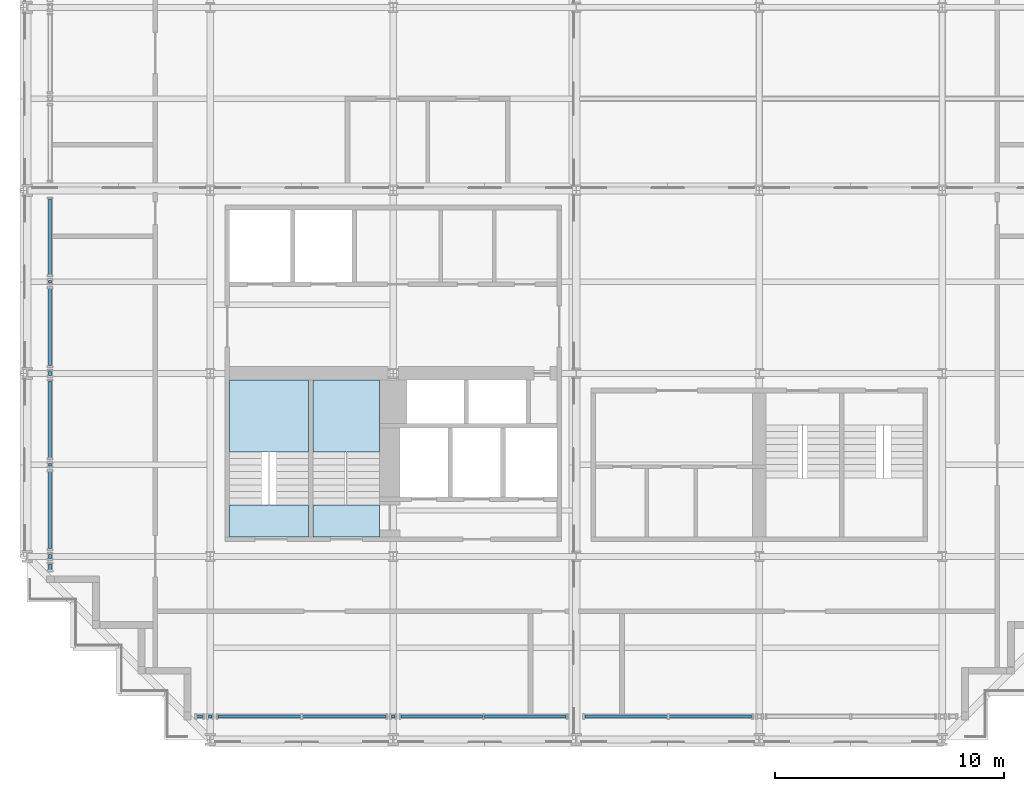
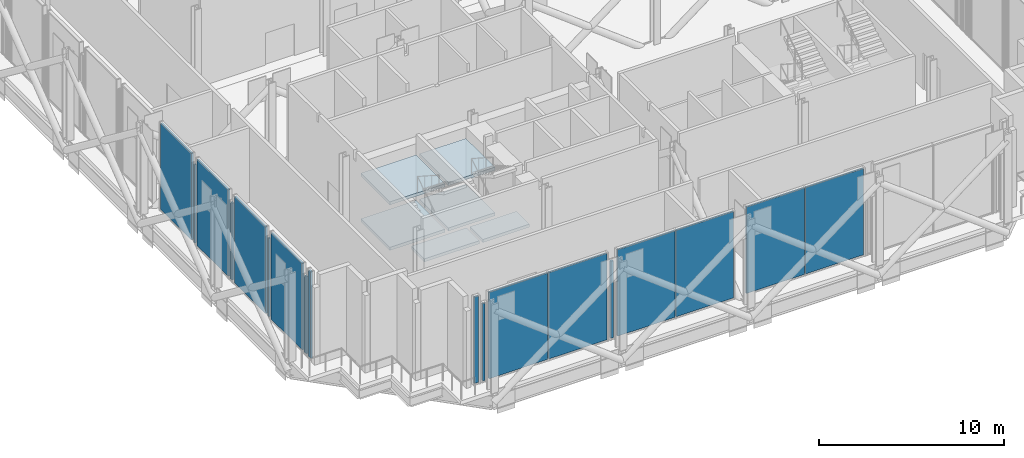
# One storey, part 11 of 25: 18 plates, 6 slabs, 17 elements without a shape of their own.
"""IFC4 building model written with IfcOpenShell, lengths in metres."""

from ifc_helpers import new_model, si_unit, direction, frame, origin, origin_2d, place, context, subcontext, project, spatial, polyline, rectangle, outline, extrude, material, layer, layer_set, type_object, element, aggregate, save


model = new_model("IFC4")

# Units and contexts
model_context = context("Model", 3, precision=1e-05, world=origin(), true_north=direction((0.0, 1.0)))
body_context = subcontext(model_context, "Body", "Model", "MODEL_VIEW")
ifc_project = project(units=[si_unit("LENGTHUNIT", "METRE"), si_unit("AREAUNIT", "SQUARE_METRE"), si_unit("VOLUMEUNIT", "CUBIC_METRE"), si_unit("PLANEANGLEUNIT", "RADIAN"), si_unit("MASSUNIT", "GRAM", prefix="KILO")], contexts=[model_context])

# Site, building, storey
site_placement = place(None, origin())
site = spatial("IfcSite", under=ifc_project, at=site_placement, CompositionType="ELEMENT")
building_placement = place(site_placement, origin())
building = spatial("IfcBuilding", under=site, at=building_placement, Name="Immortelle Media Tower", CompositionType="ELEMENT")
storey_placement = place(building_placement, frame((0.0, 0.0, 114.0)))
storey = spatial("IfcBuildingStorey", under=building, at=storey_placement, Name="L22", CompositionType="ELEMENT", Elevation=114.0)

# Curtain wall, plate
ifc_material_1 = material(Name="Aluminium curtain wall system", Category="aluminium")
curtain_wall_type = type_object("IfcCurtainWallType", Name="Plant louvre wall curtain wall", PredefinedType="NOTDEFINED", material=ifc_material_1)
curtain_wall_1_placement = place(storey_placement, origin())
curtain_wall_1 = element("IfcCurtainWall", 1, at=curtain_wall_1_placement, inside=storey, type_object=curtain_wall_type, Name="Plant louvre wall L22 S 7-2", PredefinedType="NOTDEFINED")
ifc_material_2 = material(Name="Pale aluminium louvre panel", Category="aluminium")
ifc_layer_1 = layer(ifc_material_2, 0.1201171875)
ifc_layer_set_1 = layer_set([ifc_layer_1], Name="Pale aluminium louvre panel")
plate_type = type_object("IfcPlateType", Name="Dust and storm rated louvre panel 120 mm", PredefinedType="CURTAIN_PANEL", material=ifc_layer_set_1)
plate_1_placement = place(storey_placement, frame((7.537109375, 1.0, 0.080078125), z_axis=(0.0, 0.0, 1.0), x_axis=(1.0, 0.0, 0.0)))
plate_1 = element("IfcPlate", 2, at=plate_1_placement, type_object=plate_type, Name="CW6 panel 1.1", PredefinedType="CURTAIN_PANEL", context=body_context, shape_type="SweptSolid", body=[
    extrude(rectangle(XDim=0.256591796875, YDim=0.1201171875, at=origin_2d()), origin(), (0.0, 0.0, 1.0), 5.689453125),
])
aggregate(curtain_wall_1, [plate_1])

curtain_wall_2_placement = place(storey_placement, origin())
curtain_wall_2 = element("IfcCurtainWall", 3, at=curtain_wall_2_placement, inside=storey, type_object=curtain_wall_type, Name="Plant louvre wall L22 S 7-3", PredefinedType="NOTDEFINED")
plate_2_placement = place(storey_placement, frame((8.0, 1.0, 0.080078125), z_axis=(0.0, 0.0, 1.0), x_axis=(1.0, 0.0, 0.0)))
plate_2 = element("IfcPlate", 4, at=plate_2_placement, type_object=plate_type, Name="CW6 panel 1.1", PredefinedType="CURTAIN_PANEL", context=body_context, shape_type="SweptSolid", body=[
    extrude(rectangle(XDim=0.1689453125, YDim=0.1201171875, at=origin_2d()), origin(), (0.0, 0.0, 1.0), 5.077392578125),
])
aggregate(curtain_wall_2, [plate_2])

# Curtain wall, plates
curtain_wall_3_placement = place(storey_placement, origin())
curtain_wall_3 = element("IfcCurtainWall", 5, at=curtain_wall_3_placement, inside=storey, type_object=curtain_wall_type, Name="Plant louvre wall L22 S 7-4", PredefinedType="NOTDEFINED")
plate_3_placement = place(storey_placement, frame((10.147216796875, 1.0, 0.080078125), z_axis=(0.0, 0.0, 1.0), x_axis=(1.0, 0.0, 0.0)))
plate_3 = element("IfcPlate", 6, at=plate_3_placement, type_object=plate_type, Name="CW6 panel 1.1", PredefinedType="CURTAIN_PANEL", context=body_context, shape_type="SweptSolid", body=[
    extrude(rectangle(XDim=3.62548828125, YDim=0.1201171875, at=origin_2d()), origin(), (0.0, 0.0, 1.0), 5.689453125),
])
plate_4_placement = place(storey_placement, frame((13.852783203125, 1.0, 0.080078125), z_axis=(0.0, 0.0, 1.0), x_axis=(1.0, 0.0, 0.0)))
plate_4 = element("IfcPlate", 7, at=plate_4_placement, type_object=plate_type, Name="CW6 panel 2.1", PredefinedType="CURTAIN_PANEL", context=body_context, shape_type="SweptSolid", body=[
    extrude(rectangle(XDim=3.62548828125, YDim=0.1201171875, at=origin_2d()), origin(), (0.0, 0.0, 1.0), 5.689453125),
])
aggregate(curtain_wall_3, [plate_3, plate_4])

# Curtain wall, plate
curtain_wall_4_placement = place(storey_placement, origin())
curtain_wall_4 = element("IfcCurtainWall", 8, at=curtain_wall_4_placement, inside=storey, type_object=curtain_wall_type, Name="Plant louvre wall L22 S 7-5", PredefinedType="NOTDEFINED")
plate_5_placement = place(storey_placement, frame((16.0, 1.0, 0.080078125), z_axis=(0.0, 0.0, 1.0), x_axis=(1.0, 0.0, 0.0)))
plate_5 = element("IfcPlate", 9, at=plate_5_placement, type_object=plate_type, Name="CW6 panel 1.1", PredefinedType="CURTAIN_PANEL", context=body_context, shape_type="SweptSolid", body=[
    extrude(rectangle(XDim=0.1689453125, YDim=0.1201171875, at=origin_2d()), origin(), (0.0, 0.0, 1.0), 5.077392578125),
])
aggregate(curtain_wall_4, [plate_5])

# Curtain wall, plates
curtain_wall_5_placement = place(storey_placement, origin())
curtain_wall_5 = element("IfcCurtainWall", 10, at=curtain_wall_5_placement, inside=storey, type_object=curtain_wall_type, Name="Plant louvre wall L22 S 7-6", PredefinedType="NOTDEFINED")
plate_6_placement = place(storey_placement, frame((18.119384765625, 1.0, 0.080078125), z_axis=(0.0, 0.0, 1.0), x_axis=(1.0, 0.0, 0.0)))
plate_6 = element("IfcPlate", 11, at=plate_6_placement, type_object=plate_type, Name="CW6 panel 1.1", PredefinedType="CURTAIN_PANEL", context=body_context, shape_type="SweptSolid", body=[
    extrude(rectangle(XDim=3.56982421875, YDim=0.1201171875, at=origin_2d()), origin(), (0.0, 0.0, 1.0), 5.689453125),
])
plate_7_placement = place(storey_placement, frame((21.76904296875, 1.0, 0.080078125), z_axis=(0.0, 0.0, 1.0), x_axis=(1.0, 0.0, 0.0)))
plate_7 = element("IfcPlate", 12, at=plate_7_placement, type_object=plate_type, Name="CW6 panel 2.1", PredefinedType="CURTAIN_PANEL", context=body_context, shape_type="SweptSolid", body=[
    extrude(rectangle(XDim=3.56982421875, YDim=0.1201171875, at=origin_2d()), origin(), (0.0, 0.0, 1.0), 5.689453125),
])
aggregate(curtain_wall_5, [plate_6, plate_7])

curtain_wall_6_placement = place(storey_placement, origin())
curtain_wall_6 = element("IfcCurtainWall", 13, at=curtain_wall_6_placement, inside=storey, type_object=curtain_wall_type, Name="Plant louvre wall L22 S 7-7", PredefinedType="NOTDEFINED")
plate_8_placement = place(storey_placement, frame((26.176513671875, 1.0, 0.080078125), z_axis=(0.0, 0.0, 1.0), x_axis=(1.0, 0.0, 0.0)))
plate_8 = element("IfcPlate", 14, at=plate_8_placement, type_object=plate_type, Name="CW6 panel 1.1", PredefinedType="CURTAIN_PANEL", context=body_context, shape_type="SweptSolid", body=[
    extrude(rectangle(XDim=3.60595703125, YDim=0.1201171875, at=origin_2d()), origin(), (0.0, 0.0, 1.0), 5.689453125),
])
plate_9_placement = place(storey_placement, frame((29.862548828125, 1.0, 0.080078125), z_axis=(0.0, 0.0, 1.0), x_axis=(1.0, 0.0, 0.0)))
plate_9 = element("IfcPlate", 15, at=plate_9_placement, type_object=plate_type, Name="CW6 panel 2.1", PredefinedType="CURTAIN_PANEL", context=body_context, shape_type="SweptSolid", body=[
    extrude(rectangle(XDim=3.60595703125, YDim=0.1201171875, at=origin_2d()), origin(), (0.0, 0.0, 1.0), 5.689453125),
])
aggregate(curtain_wall_6, [plate_8, plate_9])

# Curtain wall, plate
curtain_wall_7_placement = place(storey_placement, origin())
curtain_wall_7 = element("IfcCurtainWall", 16, at=curtain_wall_7_placement, inside=storey, type_object=curtain_wall_type, Name="Plant louvre wall L22 W 28-11", PredefinedType="NOTDEFINED")
plate_10_placement = place(storey_placement, frame((1.0, 21.964599609375, 0.080078125), z_axis=(0.0, 0.0, 1.0), x_axis=(0.0, -1.0, 0.0)))
plate_10 = element("IfcPlate", 17, at=plate_10_placement, type_object=plate_type, Name="CW6 panel 1.1", PredefinedType="CURTAIN_PANEL", context=body_context, shape_type="SweptSolid", body=[
    extrude(rectangle(XDim=3.323974609375, YDim=0.1201171875, at=origin_2d()), origin(), (0.0, 0.0, 1.0), 5.689453125),
])
aggregate(curtain_wall_7, [plate_10])

curtain_wall_8_placement = place(storey_placement, origin())
curtain_wall_8 = element("IfcCurtainWall", 18, at=curtain_wall_8_placement, inside=storey, type_object=curtain_wall_type, Name="Plant louvre wall L22 W 28-12", PredefinedType="NOTDEFINED")
plate_11_placement = place(storey_placement, frame((1.0, 20.0, 0.080078125), z_axis=(0.0, 0.0, 1.0), x_axis=(0.0, -1.0, 0.0)))
plate_11 = element("IfcPlate", 19, at=plate_11_placement, type_object=plate_type, Name="CW6 panel 1.1", PredefinedType="CURTAIN_PANEL", context=body_context, shape_type="SweptSolid", body=[
    extrude(rectangle(XDim=0.10498046875, YDim=0.1201171875, at=origin_2d()), origin(), (0.0, 0.0, 1.0), 5.16357421875),
])
aggregate(curtain_wall_8, [plate_11])

curtain_wall_9_placement = place(storey_placement, origin())
curtain_wall_9 = element("IfcCurtainWall", 20, at=curtain_wall_9_placement, inside=storey, type_object=curtain_wall_type, Name="Plant louvre wall L22 W 28-13", PredefinedType="NOTDEFINED")
plate_12_placement = place(storey_placement, frame((1.0, 18.01611328125, 0.080078125), z_axis=(0.0, 0.0, 1.0), x_axis=(0.0, -1.0, 0.0)))
plate_12 = element("IfcPlate", 21, at=plate_12_placement, type_object=plate_type, Name="CW6 panel 1.1", PredefinedType="CURTAIN_PANEL", context=body_context, shape_type="SweptSolid", body=[
    extrude(rectangle(XDim=3.363037109375, YDim=0.1201171875, at=origin_2d()), origin(), (0.0, 0.0, 1.0), 5.689453125),
])
aggregate(curtain_wall_9, [plate_12])

curtain_wall_10_placement = place(storey_placement, origin())
curtain_wall_10 = element("IfcCurtainWall", 22, at=curtain_wall_10_placement, inside=storey, type_object=curtain_wall_type, Name="Plant louvre wall L22 W 28-14", PredefinedType="NOTDEFINED")
plate_13_placement = place(storey_placement, frame((1.0, 16.0, 0.080078125), z_axis=(0.0, 0.0, 1.0), x_axis=(0.0, -1.0, 0.0)))
plate_13 = element("IfcPlate", 23, at=plate_13_placement, type_object=plate_type, Name="CW6 panel 1.1", PredefinedType="CURTAIN_PANEL", context=body_context, shape_type="SweptSolid", body=[
    extrude(rectangle(XDim=0.1689453125, YDim=0.1201171875, at=origin_2d()), origin(), (0.0, 0.0, 1.0), 5.077392578125),
])
aggregate(curtain_wall_10, [plate_13])

curtain_wall_11_placement = place(storey_placement, origin())
curtain_wall_11 = element("IfcCurtainWall", 24, at=curtain_wall_11_placement, inside=storey, type_object=curtain_wall_type, Name="Plant louvre wall L22 W 28-15", PredefinedType="NOTDEFINED")
plate_14_placement = place(storey_placement, frame((1.0, 13.98388671875, 0.080078125), z_axis=(0.0, 0.0, 1.0), x_axis=(0.0, -1.0, 0.0)))
plate_14 = element("IfcPlate", 25, at=plate_14_placement, type_object=plate_type, Name="CW6 panel 1.1", PredefinedType="CURTAIN_PANEL", context=body_context, shape_type="SweptSolid", body=[
    extrude(rectangle(XDim=3.363037109375, YDim=0.1201171875, at=origin_2d()), origin(), (0.0, 0.0, 1.0), 5.689453125),
])
aggregate(curtain_wall_11, [plate_14])

curtain_wall_12_placement = place(storey_placement, origin())
curtain_wall_12 = element("IfcCurtainWall", 26, at=curtain_wall_12_placement, inside=storey, type_object=curtain_wall_type, Name="Plant louvre wall L22 W 28-16", PredefinedType="NOTDEFINED")
plate_15_placement = place(storey_placement, frame((1.0, 12.0, 0.080078125), z_axis=(0.0, 0.0, 1.0), x_axis=(0.0, -1.0, 0.0)))
plate_15 = element("IfcPlate", 27, at=plate_15_placement, type_object=plate_type, Name="CW6 panel 1.1", PredefinedType="CURTAIN_PANEL", context=body_context, shape_type="SweptSolid", body=[
    extrude(rectangle(XDim=0.10498046875, YDim=0.1201171875, at=origin_2d()), origin(), (0.0, 0.0, 1.0), 5.16357421875),
])
aggregate(curtain_wall_12, [plate_15])

curtain_wall_13_placement = place(storey_placement, origin())
curtain_wall_13 = element("IfcCurtainWall", 28, at=curtain_wall_13_placement, inside=storey, type_object=curtain_wall_type, Name="Plant louvre wall L22 W 28-17", PredefinedType="NOTDEFINED")
plate_16_placement = place(storey_placement, frame((1.0, 10.01611328125, 0.080078125), z_axis=(0.0, 0.0, 1.0), x_axis=(0.0, -1.0, 0.0)))
plate_16 = element("IfcPlate", 29, at=plate_16_placement, type_object=plate_type, Name="CW6 panel 1.1", PredefinedType="CURTAIN_PANEL", context=body_context, shape_type="SweptSolid", body=[
    extrude(rectangle(XDim=3.363037109375, YDim=0.1201171875, at=origin_2d()), origin(), (0.0, 0.0, 1.0), 5.689453125),
])
aggregate(curtain_wall_13, [plate_16])

curtain_wall_14_placement = place(storey_placement, origin())
curtain_wall_14 = element("IfcCurtainWall", 30, at=curtain_wall_14_placement, inside=storey, type_object=curtain_wall_type, Name="Plant louvre wall L22 W 28-18", PredefinedType="NOTDEFINED")
plate_17_placement = place(storey_placement, frame((1.0, 8.0, 0.080078125), z_axis=(0.0, 0.0, 1.0), x_axis=(0.0, -1.0, 0.0)))
plate_17 = element("IfcPlate", 31, at=plate_17_placement, type_object=plate_type, Name="CW6 panel 1.1", PredefinedType="CURTAIN_PANEL", context=body_context, shape_type="SweptSolid", body=[
    extrude(rectangle(XDim=0.1689453125, YDim=0.1201171875, at=origin_2d()), origin(), (0.0, 0.0, 1.0), 5.077392578125),
])
aggregate(curtain_wall_14, [plate_17])

curtain_wall_15_placement = place(storey_placement, origin())
curtain_wall_15 = element("IfcCurtainWall", 32, at=curtain_wall_15_placement, inside=storey, type_object=curtain_wall_type, Name="Plant louvre wall L22 W 28-19", PredefinedType="NOTDEFINED")
plate_18_placement = place(storey_placement, frame((1.0, 7.537109375, 0.080078125), z_axis=(0.0, 0.0, 1.0), x_axis=(0.0, -1.0, 0.0)))
plate_18 = element("IfcPlate", 33, at=plate_18_placement, type_object=plate_type, Name="CW6 panel 1.1", PredefinedType="CURTAIN_PANEL", context=body_context, shape_type="SweptSolid", body=[
    extrude(rectangle(XDim=0.256591796875, YDim=0.1201171875, at=origin_2d()), origin(), (0.0, 0.0, 1.0), 5.689453125),
])
aggregate(curtain_wall_15, [plate_18])

# Stair, slabs
ifc_material_3 = material(Name="Steel ASTM A992 Gr 50", Category="steel")
stair_type = type_object("IfcStairType", Name="Stair with flights", PredefinedType="DOUBLE_RETURN_STAIR", material=ifc_material_3)
stair_1_placement = place(storey_placement, origin())
stair_1 = element("IfcStair", 34, at=stair_1_placement, inside=storey, type_object=stair_type, Name="Exit stair SW1", PredefinedType="DOUBLE_RETURN_STAIR")
ifc_material_4 = material(Name="Steel ASTM A572 Gr 50", Category="steel")
ifc_layer_2 = layer(ifc_material_4, 0.199951171875)
ifc_layer_set_2 = layer_set([ifc_layer_2], Name="Steel ASTM A572 Gr 50")
slab_type = type_object("IfcSlabType", Name="Stair landing 200", PredefinedType="LANDING", material=ifc_layer_set_2)
slab_1_placement = place(storey_placement, frame((0.0, 0.0, 1.300048828125)))
slab_1 = element("IfcSlab", 35, at=slab_1_placement, type_object=slab_type, Name="ST SW1 landing 1", PredefinedType="LANDING", context=body_context, shape_type="SweptSolid", body=[
    extrude(outline(polyline([(8.85009765625, 12.570068359375), (12.300048828125, 12.570068359375), (12.300048828125, 15.699951171875), (8.85009765625, 15.699951171875), (8.85009765625, 12.570068359375)])), origin(), (0.0, 0.0, 1.0), 0.199951171875),
])
slab_2_placement = place(storey_placement, frame((0.0, 0.0, 2.800048828125)))
slab_2 = element("IfcSlab", 36, at=slab_2_placement, type_object=slab_type, Name="ST SW1 landing 2", PredefinedType="LANDING", context=body_context, shape_type="SweptSolid", body=[
    extrude(outline(polyline([(8.85009765625, 8.85009765625), (12.300048828125, 8.85009765625), (12.300048828125, 10.25), (8.85009765625, 10.25), (8.85009765625, 8.85009765625)])), origin(), (0.0, 0.0, 1.0), 0.199951171875),
])
slab_3_placement = place(storey_placement, frame((0.0, 0.0, 4.300048828125)))
slab_3 = element("IfcSlab", 37, at=slab_3_placement, type_object=slab_type, Name="ST SW1 landing 3", PredefinedType="LANDING", context=body_context, shape_type="SweptSolid", body=[
    extrude(outline(polyline([(8.85009765625, 12.570068359375), (12.300048828125, 12.570068359375), (12.300048828125, 15.699951171875), (8.85009765625, 15.699951171875), (8.85009765625, 12.570068359375)])), origin(), (0.0, 0.0, 1.0), 0.199951171875),
])
aggregate(stair_1, [slab_1, slab_2, slab_3])

stair_2_placement = place(storey_placement, origin())
stair_2 = element("IfcStair", 38, at=stair_2_placement, inside=storey, type_object=stair_type, Name="Exit stair SW2", PredefinedType="DOUBLE_RETURN_STAIR")
slab_4_placement = place(storey_placement, frame((0.0, 0.0, 1.300048828125)))
slab_4 = element("IfcSlab", 39, at=slab_4_placement, type_object=slab_type, Name="ST SW2 landing 1", PredefinedType="LANDING", context=body_context, shape_type="SweptSolid", body=[
    extrude(outline(polyline([(12.5, 12.570068359375), (15.39990234375, 12.570068359375), (15.39990234375, 15.699951171875), (12.5, 15.699951171875), (12.5, 12.570068359375)])), origin(), (0.0, 0.0, 1.0), 0.199951171875),
])
slab_5_placement = place(storey_placement, frame((0.0, 0.0, 2.800048828125)))
slab_5 = element("IfcSlab", 40, at=slab_5_placement, type_object=slab_type, Name="ST SW2 landing 2", PredefinedType="LANDING", context=body_context, shape_type="SweptSolid", body=[
    extrude(outline(polyline([(12.5, 8.85009765625), (15.39990234375, 8.85009765625), (15.39990234375, 10.25), (12.5, 10.25), (12.5, 8.85009765625)])), origin(), (0.0, 0.0, 1.0), 0.199951171875),
])
slab_6_placement = place(storey_placement, frame((0.0, 0.0, 4.300048828125)))
slab_6 = element("IfcSlab", 41, at=slab_6_placement, type_object=slab_type, Name="ST SW2 landing 3", PredefinedType="LANDING", context=body_context, shape_type="SweptSolid", body=[
    extrude(outline(polyline([(12.5, 12.570068359375), (15.39990234375, 12.570068359375), (15.39990234375, 15.699951171875), (12.5, 15.699951171875), (12.5, 12.570068359375)])), origin(), (0.0, 0.0, 1.0), 0.199951171875),
])
aggregate(stair_2, [slab_4, slab_5, slab_6])

save(model, "model.ifc")
